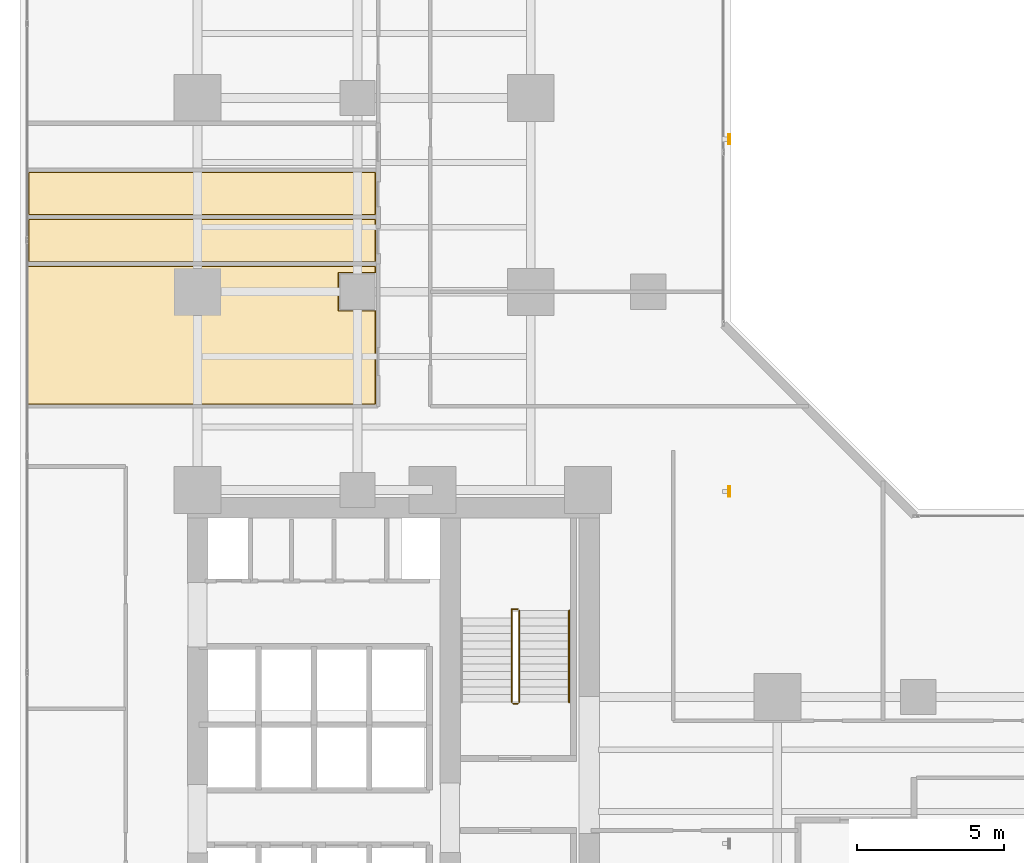
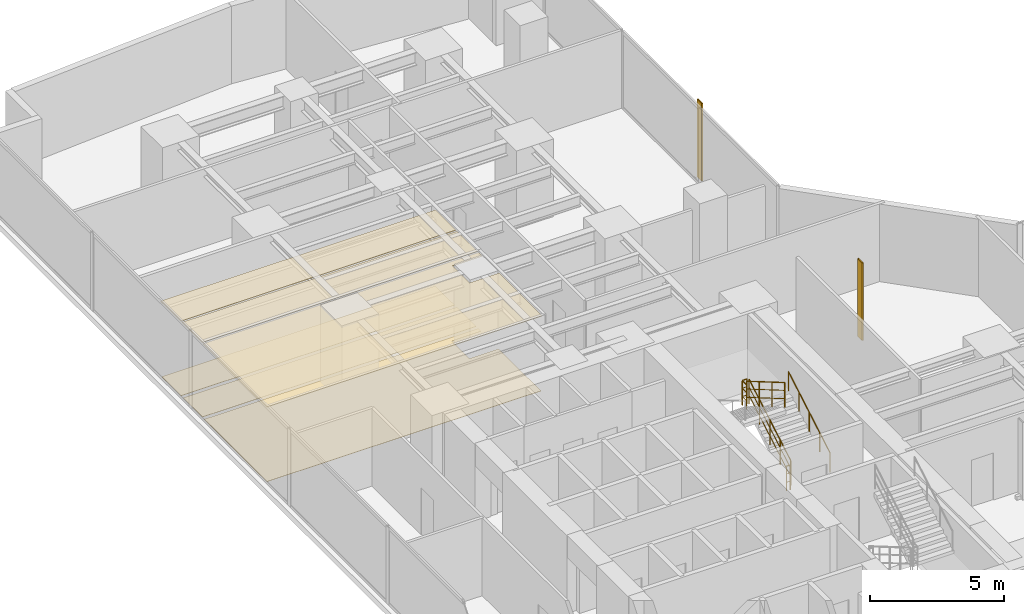
# One storey, part 26 of 26: 6 coverings, 5 railings, 2 shading devices.
"""IFC4 building model written with IfcOpenShell, lengths in metres."""

import ifcopenshell
import ifcopenshell.guid

model = None  # the IFC model being written
_history = None  # IfcOwnerHistory: only IFC2X3 demands one
_inside = {}  # id of a spatial element -> (the spatial element, [elements in it])
_under = {}  # id of a project, library or spatial element -> (it, [spatial elements below it])
_declared = {}  # id of a project -> (the project, [libraries it declares])
_typed = {}  # id of a type object -> (the type object, [elements of that type])
_made_of = {}  # id of a material, layer set ... -> (it, [elements and type objects made of it])


def new_model(schema):
    """Start an empty IFC model of exactly this schema.

    Asked for "IFC4X3", IfcOpenShell would pick the latest addendum, in which some entities
    have other attributes; the version numbers below select the first issue.
    IFC2X3 requires an IfcOwnerHistory on every rooted entity: one is made here for all.
    """
    global model, _history
    if schema == "IFC4X3":
        model = ifcopenshell.file(schema_version=(4, 3, 0, 0))
    else:
        model = ifcopenshell.file(schema=schema)
    _inside.clear()
    _under.clear()
    _declared.clear()
    _typed.clear()
    _made_of.clear()
    _history = None
    if model.schema == "IFC2X3":
        org = make("IfcOrganization", Name="unknown")
        user = make(
            "IfcPersonAndOrganization",
            ThePerson=make("IfcPerson", FamilyName="unknown"),
            TheOrganization=org,
        )
        app = make(
            "IfcApplication",
            ApplicationDeveloper=org,
            Version="unknown",
            ApplicationFullName="unknown",
            ApplicationIdentifier="unknown",
        )
        _history = make(
            "IfcOwnerHistory",
            OwningUser=user,
            OwningApplication=app,
            ChangeAction="ADDED",
            CreationDate=0,
        )
    return model


def make(cls, **values):
    """One entity of the class cls with the attributes given. An attribute that is None is left unset."""
    return model.create_entity(
        cls, **{name: value for name, value in values.items() if value is not None}
    )


def rooted(cls, **values):
    """An entity with a GlobalId (a new one), such as an element, a storey or a relation."""
    return make(cls, GlobalId=ifcopenshell.guid.new(), OwnerHistory=_history, **values)


def si_unit(unit_type, name, prefix=None):
    """IfcSIUnit, for example si_unit("LENGTHUNIT", "METRE", prefix="MILLI")."""
    return make("IfcSIUnit", UnitType=unit_type, Prefix=prefix, Name=name)


def assignment(units):
    """IfcUnitAssignment: the units of a project."""
    return None if units is None else make("IfcUnitAssignment", Units=units)


def point(xyz):
    """IfcCartesianPoint."""
    return None if xyz is None else make("IfcCartesianPoint", Coordinates=xyz)


def direction(xyz):
    """IfcDirection."""
    return None if xyz is None else make("IfcDirection", DirectionRatios=xyz)


def frame(location, z_axis=None, x_axis=None):
    """IfcAxis2Placement3D, a coordinate frame: its origin and axes. An axis left out is left unset."""
    return make(
        "IfcAxis2Placement3D",
        Location=point(location),
        Axis=direction(z_axis),
        RefDirection=direction(x_axis),
    )


def frame_2d(location, x_axis=None):
    """IfcAxis2Placement2D, a coordinate frame in the plane: its origin and x axis."""
    return make(
        "IfcAxis2Placement2D", Location=point(location), RefDirection=direction(x_axis)
    )


def origin():
    """The frame at (0, 0, 0) with its axes left unset."""
    return frame((0.0, 0.0, 0.0))


def origin_2d():
    """The frame at (0, 0) in the plane with its x axis left unset."""
    return frame_2d((0.0, 0.0))


def place(relative_to, where):
    """IfcLocalPlacement: puts the frame where relative to a parent placement (None: the world)."""
    return make(
        "IfcLocalPlacement", PlacementRelTo=relative_to, RelativePlacement=where
    )


def context(
    kind, dimensions, precision=None, world=None, true_north=None, identifier=None
):
    """IfcGeometricRepresentationContext, for example the 3D "Model" context."""
    return make(
        "IfcGeometricRepresentationContext",
        ContextIdentifier=identifier,
        ContextType=kind,
        CoordinateSpaceDimension=dimensions,
        Precision=precision,
        WorldCoordinateSystem=world,
        TrueNorth=true_north,
    )


def subcontext(parent, identifier, kind, view, scale=None):
    """IfcGeometricRepresentationSubContext, for example "Body" below "Model"."""
    return make(
        "IfcGeometricRepresentationSubContext",
        ContextIdentifier=identifier,
        ContextType=kind,
        ParentContext=parent,
        TargetScale=scale,
        TargetView=view,
    )


def project(units=None, contexts=None):
    """IfcProject with its units and contexts."""
    return rooted(
        "IfcProject",
        Name="project",
        RepresentationContexts=contexts,
        UnitsInContext=assignment(units),
    )


def spatial(cls, under=None, at=None, **own):
    """A site, building, storey or space (cls), placed at a placement, below another one or the project."""
    s = rooted(cls, ObjectPlacement=at, **own)
    if under is not None:
        _under.setdefault(under.id(), (under, []))[1].append(s)
    return s


def polyline(points):
    """IfcPolyline through the points."""
    return make("IfcPolyline", Points=[point(p) for p in points])


def profile(cls, at=None, kind="AREA", **sizes):
    """A parametric profile (cls). Its sizes go by their IFC names, for example OverallWidth=200.0."""
    return make(cls, ProfileType=kind, Position=at, **sizes)


def hollow_rectangle(**sizes):
    """IfcRectangleHollowProfileDef."""
    return profile("IfcRectangleHollowProfileDef", **sizes)


def circle(**sizes):
    """IfcCircleProfileDef."""
    return profile("IfcCircleProfileDef", **sizes)


def outline(outer, holes=None, kind="AREA"):
    """IfcArbitraryClosedProfileDef: a profile drawn as a closed curve; with holes, ...WithVoids."""
    if holes is None:
        return make("IfcArbitraryClosedProfileDef", ProfileType=kind, OuterCurve=outer)
    return make(
        "IfcArbitraryProfileDefWithVoids",
        ProfileType=kind,
        OuterCurve=outer,
        InnerCurves=holes,
    )


def extrude(swept, where, along, depth):
    """IfcExtrudedAreaSolid: the profile swept, set in the frame where, extruded along a direction by depth."""
    return make(
        "IfcExtrudedAreaSolid",
        SweptArea=swept,
        Position=where,
        ExtrudedDirection=direction(along),
        Depth=depth,
    )


def shape(context_of_items, identifier, shape_type, items):
    """IfcShapeRepresentation: the items that make up one representation, for example the "Body"."""
    return make(
        "IfcShapeRepresentation",
        ContextOfItems=context_of_items,
        RepresentationIdentifier=identifier,
        RepresentationType=shape_type,
        Items=items,
    )


def material(Name=None, Category=None):
    """IfcMaterial."""
    return make("IfcMaterial", Name=Name, Category=Category)


def layer(
    of_material, thickness, ventilated=None, Name=None, Category=None, Priority=None
):
    """IfcMaterialLayer: one layer of a wall or slab, of a material (None: an air gap)."""
    return make(
        "IfcMaterialLayer",
        Material=of_material,
        LayerThickness=thickness,
        IsVentilated=ventilated,
        Name=Name,
        Category=Category,
        Priority=Priority,
    )


def layer_set(layers, Name=None):
    """IfcMaterialLayerSet."""
    return make("IfcMaterialLayerSet", MaterialLayers=layers, LayerSetName=Name)


def material_profile(
    of_material, cross_section, Name=None, Category=None, Priority=None
):
    """IfcMaterialProfile: a cross section and its material."""
    return make(
        "IfcMaterialProfile",
        Name=Name,
        Material=of_material,
        Profile=cross_section,
        Priority=Priority,
        Category=Category,
    )


def profile_set(profiles, Name=None, composite=None):
    """IfcMaterialProfileSet."""
    return make(
        "IfcMaterialProfileSet",
        Name=Name,
        MaterialProfiles=profiles,
        CompositeProfile=composite,
    )


def made_of(thing, what):
    """Note that an element or type object is made of a material, layer set ...; save() writes the relation."""
    if what is not None:
        _made_of.setdefault(what.id(), (what, []))[1].append(thing)
    return thing


def type_object(cls, material=None, **own):
    """A type object (cls), such as IfcWallType, which elements share."""
    return made_of(rooted(cls, **own), material)


def element(
    cls,
    number,
    at=None,
    inside=None,
    cuts=None,
    type_object=None,
    material=None,
    context=None,
    identifier="Body",
    shape_type=None,
    held_by="IfcProductDefinitionShape",
    body=None,
    shapes=None,
    **own,
):
    """One element of the class cls, such as IfcWall. Its Tag is "e" and its number.

    at: its placement. inside: the storey or other place that contains it. cuts: it is an
    opening in that element (IfcRelVoidsElement). A single representation is given by context,
    identifier, shape_type and body (its items); several are given by shapes. held_by: the class
    of the entity that holds the representations. save() writes the other relations.
    """
    e = rooted(cls, Tag="e%d" % number, ObjectPlacement=at, **own)
    if body is not None:
        shapes = [shape(context, identifier, shape_type, body)]
    if shapes is not None:
        e.Representation = make(held_by, Representations=shapes)
    if inside is not None:
        _inside.setdefault(inside.id(), (inside, []))[1].append(e)
    if cuts is not None:
        rooted(
            "IfcRelVoidsElement", RelatingBuildingElement=cuts, RelatedOpeningElement=e
        )
    if type_object is not None:
        _typed.setdefault(type_object.id(), (type_object, []))[1].append(e)
    return made_of(e, material)


def aggregate(whole, parts):
    """IfcRelAggregates: a whole, such as a stair, and the parts it consists of."""
    return rooted("IfcRelAggregates", RelatingObject=whole, RelatedObjects=parts)


def save(model, path):
    """Write the relations noted so far, then the file.

    IfcRelAggregates (storeys below a building ...), IfcRelContainedInSpatialStructure (elements
    in a storey), IfcRelDefinesByType, IfcRelAssociatesMaterial and IfcRelDeclares: one each for
    every whole, place, type object, material and project.
    """
    for whole, parts in _under.values():
        aggregate(whole, parts)
    for where, things in _inside.values():
        rooted(
            "IfcRelContainedInSpatialStructure",
            RelatedElements=things,
            RelatingStructure=where,
        )
    for kind, things in _typed.values():
        rooted("IfcRelDefinesByType", RelatedObjects=things, RelatingType=kind)
    for what, things in _made_of.values():
        rooted("IfcRelAssociatesMaterial", RelatedObjects=things, RelatingMaterial=what)
    for by, libraries in _declared.values():
        rooted("IfcRelDeclares", RelatingContext=by, RelatedDefinitions=libraries)
    model.write(path)


model = new_model("IFC4")

# Units and contexts
model_context = context("Model", 3, precision=1e-05, world=origin(), true_north=direction((0.0, 1.0)))
body_context = subcontext(model_context, "Body", "Model", "MODEL_VIEW")
ifc_project = project(units=[si_unit("LENGTHUNIT", "METRE"), si_unit("AREAUNIT", "SQUARE_METRE"), si_unit("VOLUMEUNIT", "CUBIC_METRE"), si_unit("PLANEANGLEUNIT", "RADIAN"), si_unit("MASSUNIT", "GRAM", prefix="KILO")], contexts=[model_context])

# Site, building, storey
site_placement = place(None, origin())
site = spatial("IfcSite", under=ifc_project, at=site_placement, CompositionType="ELEMENT")
building_placement = place(site_placement, origin())
building = spatial("IfcBuilding", under=site, at=building_placement, Name="Kolvaren Waterfront Exchange", CompositionType="ELEMENT")
storey_placement = place(building_placement, frame((0.0, 0.0, 44.800048828125)))
storey = spatial("IfcBuildingStorey", under=building, at=storey_placement, Name="L11", CompositionType="ELEMENT", Elevation=44.800048828125)

# Coverings
ifc_material_1 = material(Name="Mineral fibre acoustic ceiling tile")
ifc_layer_1 = layer(ifc_material_1, 0.02490234375, Name="Mineral fibre acoustic ceiling tile")
ifc_layer_set_1 = layer_set([ifc_layer_1], Name="Mineral fibre acoustic ceiling tile")
covering_type_1 = type_object("IfcCoveringType", Name="ARC-CEIL-ACOUSTIC-25", PredefinedType="CEILING", material=ifc_layer_set_1)
covering_1_placement = place(storey_placement, frame((0.0, 0.0, 3.425048828125)))
element("IfcCovering", 1, at=covering_1_placement, inside=storey, type_object=covering_type_1, Name="L11 acoustic suspended ceiling 1", PredefinedType="CEILING", context=body_context, shape_type="SweptSolid", body=[
    extrude(outline(polyline([(13.534912109375, 30.56005859375), (12.260009765625, 30.56005859375), (12.260009765625, 31.840087890625), (13.534912109375, 31.840087890625), (13.534912109375, 32.10498046875), (1.64501953125, 32.10498046875), (1.64501953125, 27.344970703125), (13.534912109375, 27.344970703125), (13.534912109375, 30.56005859375)])), origin(), (0.0, 0.0, 1.0), 0.02490234375),
])
covering_2_placement = place(storey_placement, frame((0.0, 0.0, 3.425048828125)))
element("IfcCovering", 2, at=covering_2_placement, inside=storey, type_object=covering_type_1, Name="L11 acoustic suspended ceiling 2", PredefinedType="CEILING", context=body_context, shape_type="SweptSolid", body=[
    extrude(outline(polyline([(13.534912109375, 32.195068359375), (13.534912109375, 33.705078125), (1.6650390625, 33.705078125), (1.6650390625, 32.195068359375), (13.534912109375, 32.195068359375)])), origin(), (0.0, 0.0, 1.0), 0.02490234375),
])
covering_3_placement = place(storey_placement, frame((0.0, 0.0, 3.425048828125)))
element("IfcCovering", 3, at=covering_3_placement, inside=storey, type_object=covering_type_1, Name="L11 acoustic suspended ceiling 3", PredefinedType="CEILING", context=body_context, shape_type="SweptSolid", body=[
    extrude(outline(polyline([(13.534912109375, 33.794921875), (13.534912109375, 35.304931640625), (1.6650390625, 35.304931640625), (1.6650390625, 33.794921875), (13.534912109375, 33.794921875)])), origin(), (0.0, 0.0, 1.0), 0.02490234375),
])

# Shading devices
ifc_material_2 = material(Name="Anodised bronze aluminium 6063-T6", Category="aluminium")
ifc_material_profile = material_profile(ifc_material_2, hollow_rectangle(XDim=0.06005859375, YDim=0.35009765625, WallThickness=0.0048828125, at=origin_2d()), Name="BRZ-FIN-350x60x5")
ifc_profile_set = profile_set([ifc_material_profile], Name="Anodised bronze aluminium 6063-T6")
shading_device_type = type_object("IfcShadingDeviceType", Name="ARC-FIN-350", PredefinedType="USERDEFINED", material=ifc_profile_set)
for number, where, z_axis, x_axis, name in (
    (4, (25.56005859375, 24.39990234375, 0.0), (0.0, 0.0, 1.0), (1.0, 0.0, 0.0), "L11 anodised bronze solar shading fin FIN-L11-E2"),
    (5, (25.56005859375, 36.39990234375, 0.0), (0.0, 0.0, 1.0), (1.0, 0.0, 0.0), "L11 anodised bronze solar shading fin FIN-L11-E3"),
):
    element("IfcShadingDevice", number, at=place(storey_placement, frame(where, z_axis=z_axis, x_axis=x_axis)), inside=storey, type_object=shading_device_type, Name=name, ObjectType="SOLAR FIN", PredefinedType="USERDEFINED", context=body_context, shape_type="SweptSolid", body=[
        extrude(hollow_rectangle(XDim=0.06005859375, YDim=0.35009765625, WallThickness=0.0048828125, at=origin_2d()), origin(), (0.0, 0.0, 1.0), 3.5400390625),
    ])

# Coverings
ifc_material_3 = material(Name="Slip-resistant porcelain tile")
ifc_layer_2 = layer(ifc_material_3, 0.014892578125, Name="Slip-resistant porcelain tile")
ifc_layer_set_2 = layer_set([ifc_layer_2], Name="Slip-resistant porcelain tile")
covering_type_2 = type_object("IfcCoveringType", Name="ARC-FLR-PORC-15", PredefinedType="FLOORING", material=ifc_layer_set_2)
covering_4_placement = place(storey_placement, origin())
element("IfcCovering", 6, at=covering_4_placement, inside=storey, type_object=covering_type_2, Name="L11 floor finish 1", PredefinedType="FLOORING", context=body_context, shape_type="SweptSolid", body=[
    extrude(outline(polyline([(1.679931640625, 32.070068359375), (1.679931640625, 27.3798828125), (13.5, 27.3798828125), (13.5, 30.5400390625), (12.239990234375, 30.5400390625), (12.239990234375, 31.860107421875), (13.5, 31.860107421875), (13.5, 32.070068359375), (1.679931640625, 32.070068359375)])), origin(), (0.0, 0.0, 1.0), 0.014892578125),
])
covering_5_placement = place(storey_placement, origin())
element("IfcCovering", 7, at=covering_5_placement, inside=storey, type_object=covering_type_2, Name="L11 floor finish 2", PredefinedType="FLOORING", context=body_context, shape_type="SweptSolid", body=[
    extrude(outline(polyline([(1.699951171875, 33.669921875), (1.699951171875, 32.22998046875), (13.5, 32.22998046875), (13.5, 33.669921875), (1.699951171875, 33.669921875)])), origin(), (0.0, 0.0, 1.0), 0.014892578125),
])
covering_6_placement = place(storey_placement, origin())
element("IfcCovering", 8, at=covering_6_placement, inside=storey, type_object=covering_type_2, Name="L11 floor finish 3", PredefinedType="FLOORING", context=body_context, shape_type="SweptSolid", body=[
    extrude(outline(polyline([(1.699951171875, 35.27001953125), (1.699951171875, 33.830078125), (13.5, 33.830078125), (13.5, 35.27001953125), (1.699951171875, 35.27001953125)])), origin(), (0.0, 0.0, 1.0), 0.014892578125),
])

# Railings
ifc_material_4 = material(Name="Stainless steel 316", Category="steel")
railing_type_1 = type_object("IfcRailingType", Name="ARC-GUARD-STAIR", PredefinedType="GUARDRAIL", material=ifc_material_4)
railing_1_placement = place(storey_placement, frame((18.409912109375, 17.219970703125, 0.15185546875)))
element("IfcRailing", 9, at=railing_1_placement, inside=storey, type_object=railing_type_1, Name="L11 ST2 stair guard 1", PredefinedType="GUARDRAIL", context=body_context, shape_type="SweptSolid", body=[
    extrude(circle(Radius=0.02392578125, at=origin_2d()), frame((0.0, 0.0, 1.1259765625), z_axis=(0.0, 0.86330811405, 0.504677223793), x_axis=(-1.0, 0.0, 0.0)), (0.0, 0.0, 1.0), 3.6142578125),
    extrude(circle(Radius=0.01611328125, at=origin_2d()), frame((0.0, 0.0, 0.390869140625), z_axis=(0.0, 0.86330811405, 0.504677223793), x_axis=(-1.0, 0.0, 0.0)), (0.0, 0.0, 1.0), 3.6142578125),
    extrude(circle(Radius=0.01611328125, at=origin_2d()), frame((0.0, 0.0, 0.7705078125), z_axis=(0.0, 0.86330811405, 0.504677223793), x_axis=(-1.0, 0.0, 0.0)), (0.0, 0.0, 1.0), 3.6142578125),
    extrude(circle(Radius=0.02099609375, at=origin_2d()), origin(), (0.0, 0.0, 1.0), 1.101806640625),
    extrude(circle(Radius=0.02099609375, at=origin_2d()), frame((0.0, 0.780029296875, 0.4560546875)), (0.0, 0.0, 1.0), 1.101806640625),
    extrude(circle(Radius=0.02099609375, at=origin_2d()), frame((0.0, 1.56005859375, 0.912109375)), (0.0, 0.0, 1.0), 1.101806640625),
    extrude(circle(Radius=0.02099609375, at=origin_2d()), frame((0.0, 2.340087890625, 1.367919921875)), (0.0, 0.0, 1.0), 1.101806640625),
    extrude(circle(Radius=0.02099609375, at=origin_2d()), frame((0.0, 3.1201171875, 1.823974609375)), (0.0, 0.0, 1.0), 1.101806640625),
])
railing_2_placement = place(storey_placement, frame((18.360107421875, 20.389892578125, 1.975830078125)))
element("IfcRailing", 10, at=railing_2_placement, inside=storey, type_object=railing_type_1, Name="L11 ST2 stair guard 2", PredefinedType="GUARDRAIL", context=body_context, shape_type="SweptSolid", body=[
    extrude(circle(Radius=0.02392578125, at=origin_2d()), frame((0.0, 0.0, 1.1259765625), z_axis=(-1.0, 0.0, 0.0), x_axis=(0.0, -1.0, 0.0)), (0.0, 0.0, 1.0), 0.210205078125),
    extrude(circle(Radius=0.01611328125, at=origin_2d()), frame((0.0, 0.0, 0.390869140625), z_axis=(-1.0, 0.0, 0.0), x_axis=(0.0, -1.0, 0.0)), (0.0, 0.0, 1.0), 0.210205078125),
    extrude(circle(Radius=0.01611328125, at=origin_2d()), frame((0.0, 0.0, 0.7705078125), z_axis=(-1.0, 0.0, 0.0), x_axis=(0.0, -1.0, 0.0)), (0.0, 0.0, 1.0), 0.210205078125),
    extrude(circle(Radius=0.02392578125, at=origin_2d()), frame((-0.210205078125, 0.0, 1.1259765625), z_axis=(0.0, -1.0, 0.0), x_axis=(1.0, 0.0, 0.0)), (0.0, 0.0, 1.0), 0.309814453125),
    extrude(circle(Radius=0.01611328125, at=origin_2d()), frame((-0.210205078125, 0.0, 0.390869140625), z_axis=(0.0, -1.0, 0.0), x_axis=(1.0, 0.0, 0.0)), (0.0, 0.0, 1.0), 0.309814453125),
    extrude(circle(Radius=0.01611328125, at=origin_2d()), frame((-0.210205078125, 0.0, 0.7705078125), z_axis=(0.0, -1.0, 0.0), x_axis=(1.0, 0.0, 0.0)), (0.0, 0.0, 1.0), 0.309814453125),
    extrude(circle(Radius=0.02099609375, at=origin_2d()), origin(), (0.0, 0.0, 1.0), 1.101806640625),
    extrude(circle(Radius=0.02099609375, at=origin_2d()), frame((-0.210205078125, 0.0, 0.0)), (0.0, 0.0, 1.0), 1.101806640625),
    extrude(circle(Radius=0.02099609375, at=origin_2d()), frame((-0.210205078125, -0.309814453125, 0.0)), (0.0, 0.0, 1.0), 1.101806640625),
])
railing_3_placement = place(storey_placement, frame((18.14990234375, 20.080078125, 2.1279296875)))
element("IfcRailing", 11, at=railing_3_placement, inside=storey, type_object=railing_type_1, Name="L11 ST2 stair guard 3", PredefinedType="GUARDRAIL", context=body_context, shape_type="SweptSolid", body=[
    extrude(circle(Radius=0.02392578125, at=origin_2d()), frame((0.0, 0.0, 1.1259765625), z_axis=(0.0, -0.863289384635, 0.504709261235), x_axis=(1.0, 0.0, 0.0)), (0.0, 0.0, 1.0), 3.31298828125),
    extrude(circle(Radius=0.01611328125, at=origin_2d()), frame((0.0, 0.0, 0.390869140625), z_axis=(0.0, -0.863289384635, 0.504709261235), x_axis=(1.0, 0.0, 0.0)), (0.0, 0.0, 1.0), 3.31298828125),
    extrude(circle(Radius=0.01611328125, at=origin_2d()), frame((0.0, 0.0, 0.7705078125), z_axis=(0.0, -0.863289384635, 0.504709261235), x_axis=(1.0, 0.0, 0.0)), (0.0, 0.0, 1.0), 3.31298828125),
    extrude(circle(Radius=0.02099609375, at=origin_2d()), origin(), (0.0, 0.0, 1.0), 1.101806640625),
    extrude(circle(Radius=0.02099609375, at=origin_2d()), frame((0.0, -0.953369140625, 0.557373046875)), (0.0, 0.0, 1.0), 1.101806640625),
    extrude(circle(Radius=0.02099609375, at=origin_2d()), frame((0.0, -1.90673828125, 1.11474609375)), (0.0, 0.0, 1.0), 1.101806640625),
    extrude(circle(Radius=0.02099609375, at=origin_2d()), frame((0.0, -2.860107421875, 1.672119140625)), (0.0, 0.0, 1.0), 1.101806640625),
])
railing_4_placement = place(storey_placement, frame((18.360107421875, 17.169921875, 0.0)))
element("IfcRailing", 12, at=railing_4_placement, inside=storey, type_object=railing_type_1, Name="L11 ST2 stair guard 4", PredefinedType="GUARDRAIL", context=body_context, shape_type="SweptSolid", body=[
    extrude(circle(Radius=0.02392578125, at=origin_2d()), frame((0.0, 0.0, 1.1259765625), z_axis=(-1.0, 0.0, 0.0), x_axis=(0.0, -1.0, 0.0)), (0.0, 0.0, 1.0), 0.16015625),
    extrude(circle(Radius=0.01611328125, at=origin_2d()), frame((0.0, 0.0, 0.390869140625), z_axis=(-1.0, 0.0, 0.0), x_axis=(0.0, -1.0, 0.0)), (0.0, 0.0, 1.0), 0.16015625),
    extrude(circle(Radius=0.01611328125, at=origin_2d()), frame((0.0, 0.0, 0.7705078125), z_axis=(-1.0, 0.0, 0.0), x_axis=(0.0, -1.0, 0.0)), (0.0, 0.0, 1.0), 0.16015625),
    extrude(circle(Radius=0.02099609375, at=origin_2d()), origin(), (0.0, 0.0, 1.0), 1.101806640625),
    extrude(circle(Radius=0.02099609375, at=origin_2d()), frame((-0.16015625, 0.0, 0.0)), (0.0, 0.0, 1.0), 1.101806640625),
])
railing_type_2 = type_object("IfcRailingType", Name="ARC-HANDRAIL-900", PredefinedType="HANDRAIL", material=ifc_material_4)
railing_5_placement = place(storey_placement, frame((20.110107421875, 17.219970703125, 0.15185546875)))
element("IfcRailing", 13, at=railing_5_placement, inside=storey, type_object=railing_type_2, Name="L11 ST2 stair handrail 1", PredefinedType="HANDRAIL", context=body_context, shape_type="SweptSolid", body=[
    extrude(circle(Radius=0.02392578125, at=origin_2d()), frame((0.0, 0.0, 0.8759765625), z_axis=(0.0, 0.86330811405, 0.504677223793), x_axis=(-1.0, 0.0, 0.0)), (0.0, 0.0, 1.0), 3.6142578125),
    extrude(circle(Radius=0.02099609375, at=origin_2d()), origin(), (0.0, 0.0, 1.0), 0.851806640625),
    extrude(circle(Radius=0.02099609375, at=origin_2d()), frame((0.0, 0.780029296875, 0.4560546875)), (0.0, 0.0, 1.0), 0.851806640625),
    extrude(circle(Radius=0.02099609375, at=origin_2d()), frame((0.0, 1.56005859375, 0.912109375)), (0.0, 0.0, 1.0), 0.851806640625),
    extrude(circle(Radius=0.02099609375, at=origin_2d()), frame((0.0, 2.340087890625, 1.367919921875)), (0.0, 0.0, 1.0), 0.851806640625),
    extrude(circle(Radius=0.02099609375, at=origin_2d()), frame((0.0, 3.1201171875, 1.823974609375)), (0.0, 0.0, 1.0), 0.851806640625),
])

save(model, "model.ifc")
